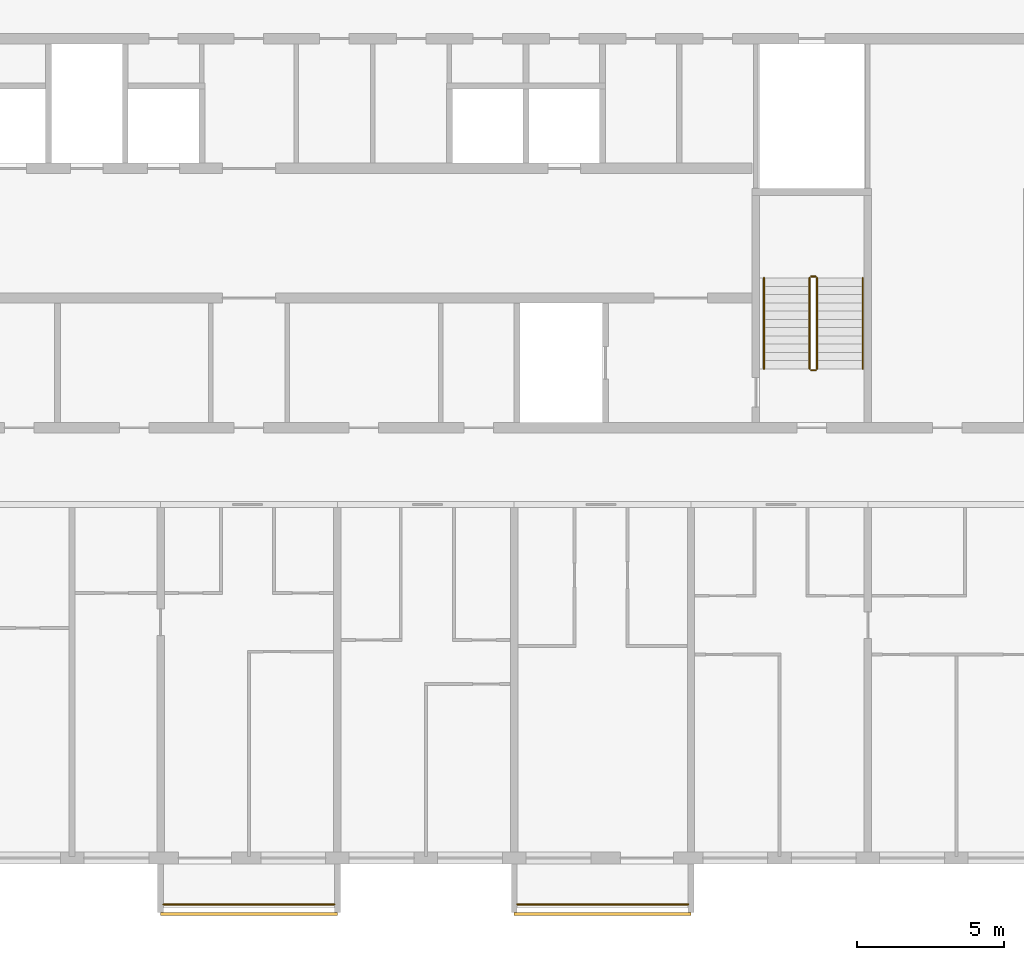
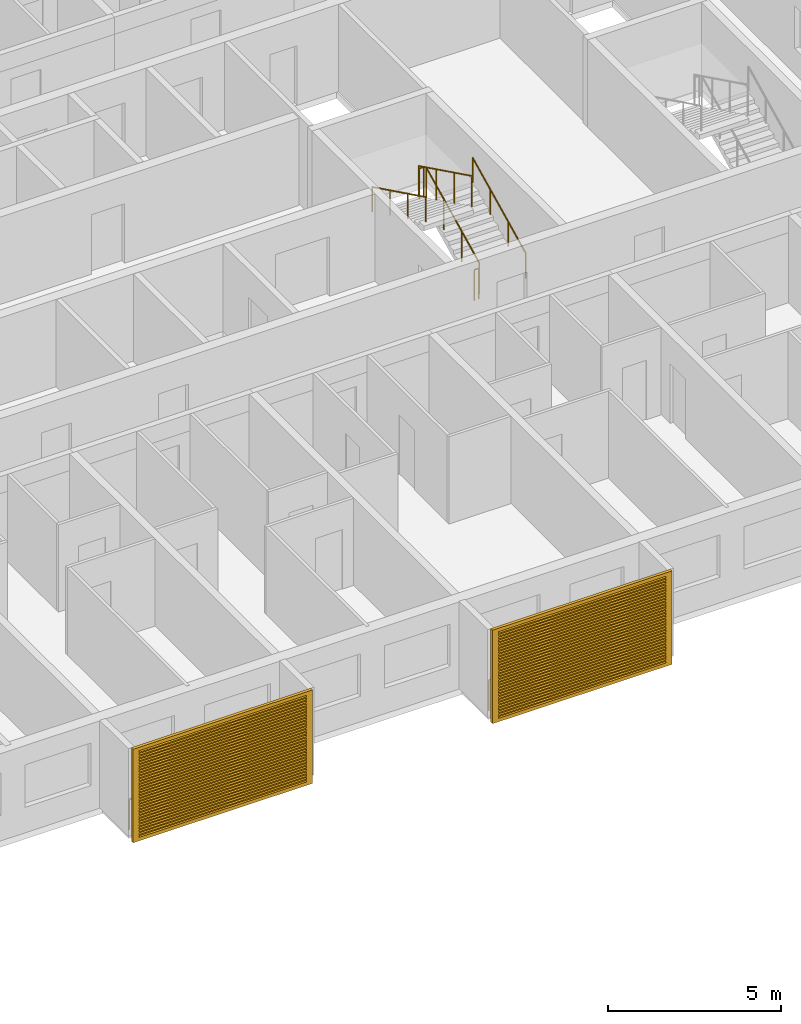
# One storey, part 14 of 29: 8 railings, 2 shading devices.
"""IFC4 building model written with IfcOpenShell, lengths in metres."""

from ifc_helpers import new_model, si_unit, direction, frame, origin, origin_2d, place, context, subcontext, project, spatial, polyline, circle, outline, extrude, source, transform, mapped, material, material_profile, profile_set, type_object, element, save


model = new_model("IFC4")

# Units and contexts
model_context = context("Model", 3, precision=1e-05, world=origin(), true_north=direction((0.0, 1.0)))
body_context = subcontext(model_context, "Body", "Model", "MODEL_VIEW")
ifc_project = project(units=[si_unit("LENGTHUNIT", "METRE"), si_unit("AREAUNIT", "SQUARE_METRE"), si_unit("VOLUMEUNIT", "CUBIC_METRE"), si_unit("PLANEANGLEUNIT", "RADIAN"), si_unit("MASSUNIT", "GRAM", prefix="KILO")], contexts=[model_context])

# Site, building, storey
site_placement = place(None, origin())
site = spatial("IfcSite", under=ifc_project, at=site_placement, CompositionType="ELEMENT")
building_placement = place(site_placement, origin())
building = spatial("IfcBuilding", under=site, at=building_placement, Name="Poui Terraces", CompositionType="ELEMENT")
storey_placement = place(building_placement, frame((0.0, 0.0, 234.60009765625)))
storey = spatial("IfcBuildingStorey", under=building, at=storey_placement, Name="L65", CompositionType="ELEMENT", Elevation=234.60009765625)

# Railings
ifc_material_1 = material(Name="Painted steel fretwork", Category="steel")
railing_type_1 = type_object("IfcRailingType", Name="BALCONY GUARD 1100", PredefinedType="GUARDRAIL", material=ifc_material_1)
for number, where, name in (
    (1, (48.10009765625, -1.570068359375, 0.0), "BALCONY GUARD"),
    (2, (60.10009765625, -1.570068359375, 0.0), "BALCONY GUARD"),
):
    element("IfcRailing", number, at=place(storey_placement, frame(where)), inside=storey, type_object=railing_type_1, Name=name, PredefinedType="GUARDRAIL", context=body_context, shape_type="SweptSolid", body=[
        extrude(circle(Radius=0.02392578125, at=origin_2d()), frame((0.0, 0.0, 1.076171875), z_axis=(1.0, 0.0, 0.0), x_axis=(0.0, 1.0, 0.0)), (0.0, 0.0, 1.0), 5.7998046875),
        extrude(circle(Radius=0.02099609375, at=origin_2d()), origin(), (0.0, 0.0, 1.0), 1.052001953125),
        extrude(circle(Radius=0.02099609375, at=origin_2d()), frame((0.966552734375, 0.0, 0.0)), (0.0, 0.0, 1.0), 1.052001953125),
        extrude(circle(Radius=0.02099609375, at=origin_2d()), frame((1.933349609375, 0.0, 0.0)), (0.0, 0.0, 1.0), 1.052001953125),
        extrude(circle(Radius=0.02099609375, at=origin_2d()), frame((2.89990234375, 0.0, 0.0)), (0.0, 0.0, 1.0), 1.052001953125),
        extrude(circle(Radius=0.02099609375, at=origin_2d()), frame((3.866455078125, 0.0, 0.0)), (0.0, 0.0, 1.0), 1.052001953125),
        extrude(circle(Radius=0.02099609375, at=origin_2d()), frame((4.833251953125, 0.0, 0.0)), (0.0, 0.0, 1.0), 1.052001953125),
        extrude(circle(Radius=0.02099609375, at=origin_2d()), frame((5.7998046875, 0.0, 0.0)), (0.0, 0.0, 1.0), 1.052001953125),
    ])
ifc_material_2 = material(Name="Galvanised steel balustrade", Category="steel")
railing_type_2 = type_object("IfcRailingType", Name="STAIR GUARD 1100", PredefinedType="GUARDRAIL", material=ifc_material_2)
railing_1_placement = place(storey_placement, frame((70.27490234375, 16.60009765625, 0.137451171875)))
element("IfcRailing", 3, at=railing_1_placement, inside=storey, type_object=railing_type_2, Name="L65 ST-CE stair guard 1", PredefinedType="GUARDRAIL", context=body_context, shape_type="SweptSolid", body=[
    extrude(circle(Radius=0.02392578125, at=origin_2d()), frame((0.0, 0.0, 1.076171875), z_axis=(0.0, 0.897606190399, 0.440798283751), x_axis=(-1.0, 0.0, 0.0)), (0.0, 0.0, 1.0), 3.43115234375),
    extrude(circle(Radius=0.02099609375, at=origin_2d()), origin(), (0.0, 0.0, 1.0), 1.052001953125),
    extrude(circle(Radius=0.02099609375, at=origin_2d()), frame((0.0, 1.026611328125, 0.504150390625)), (0.0, 0.0, 1.0), 1.052001953125),
    extrude(circle(Radius=0.02099609375, at=origin_2d()), frame((0.0, 2.05322265625, 1.00830078125)), (0.0, 0.0, 1.0), 1.052001953125),
    extrude(circle(Radius=0.02099609375, at=origin_2d()), frame((0.0, 3.079833984375, 1.512451171875)), (0.0, 0.0, 1.0), 1.052001953125),
])
railing_2_placement = place(storey_placement, frame((70.22509765625, 19.72998046875, 1.64990234375)))
element("IfcRailing", 4, at=railing_2_placement, inside=storey, type_object=railing_type_2, Name="L65 ST-CE stair guard 2", PredefinedType="GUARDRAIL", context=body_context, shape_type="SweptSolid", body=[
    extrude(circle(Radius=0.02392578125, at=origin_2d()), frame((0.0, 0.0, 1.076171875), z_axis=(-1.0, 0.0, 0.0), x_axis=(0.0, -1.0, 0.0)), (0.0, 0.0, 1.0), 0.150146484375),
    extrude(circle(Radius=0.02099609375, at=origin_2d()), origin(), (0.0, 0.0, 1.0), 1.052001953125),
    extrude(circle(Radius=0.02099609375, at=origin_2d()), frame((-0.150146484375, 0.0, 0.0)), (0.0, 0.0, 1.0), 1.052001953125),
])
railing_3_placement = place(storey_placement, frame((70.02490234375, 19.679931640625, 1.787353515625)))
element("IfcRailing", 5, at=railing_3_placement, inside=storey, type_object=railing_type_2, Name="L65 ST-CE stair guard 3", PredefinedType="GUARDRAIL", context=body_context, shape_type="SweptSolid", body=[
    extrude(circle(Radius=0.02392578125, at=origin_2d()), frame((0.0, 0.0, 1.076171875), z_axis=(0.0, -0.897606190399, 0.440798283751), x_axis=(1.0, 0.0, 0.0)), (0.0, 0.0, 1.0), 3.43115234375),
    extrude(circle(Radius=0.02099609375, at=origin_2d()), origin(), (0.0, 0.0, 1.0), 1.052001953125),
    extrude(circle(Radius=0.02099609375, at=origin_2d()), frame((0.0, -1.026611328125, 0.504150390625)), (0.0, 0.0, 1.0), 1.052001953125),
    extrude(circle(Radius=0.02099609375, at=origin_2d()), frame((0.0, -2.05322265625, 1.00830078125)), (0.0, 0.0, 1.0), 1.052001953125),
    extrude(circle(Radius=0.02099609375, at=origin_2d()), frame((0.0, -3.079833984375, 1.512451171875)), (0.0, 0.0, 1.0), 1.052001953125),
])
railing_4_placement = place(storey_placement, frame((70.22509765625, 16.550048828125, 0.0)))
element("IfcRailing", 6, at=railing_4_placement, inside=storey, type_object=railing_type_2, Name="L65 ST-CE stair guard 4", PredefinedType="GUARDRAIL", context=body_context, shape_type="SweptSolid", body=[
    extrude(circle(Radius=0.02392578125, at=origin_2d()), frame((0.0, 0.0, 1.076171875), z_axis=(-1.0, 0.0, 0.0), x_axis=(0.0, -1.0, 0.0)), (0.0, 0.0, 1.0), 0.150146484375),
    extrude(circle(Radius=0.02099609375, at=origin_2d()), origin(), (0.0, 0.0, 1.0), 1.052001953125),
    extrude(circle(Radius=0.02099609375, at=origin_2d()), frame((-0.150146484375, 0.0, 0.0)), (0.0, 0.0, 1.0), 1.052001953125),
])
ifc_material_3 = material(Name="Stainless steel handrail", Category="steel")
railing_type_3 = type_object("IfcRailingType", Name="STAIR HANDRAIL 900", PredefinedType="HANDRAIL", material=ifc_material_3)
railing_5_placement = place(storey_placement, frame((71.824951171875, 16.60009765625, 0.137451171875)))
element("IfcRailing", 7, at=railing_5_placement, inside=storey, type_object=railing_type_3, Name="L65 ST-CE stair handrail 1", PredefinedType="HANDRAIL", context=body_context, shape_type="SweptSolid", body=[
    extrude(circle(Radius=0.02392578125, at=origin_2d()), frame((0.0, 0.0, 0.8759765625), z_axis=(0.0, 0.897606190399, 0.440798283751), x_axis=(-1.0, 0.0, 0.0)), (0.0, 0.0, 1.0), 3.43115234375),
    extrude(circle(Radius=0.02099609375, at=origin_2d()), origin(), (0.0, 0.0, 1.0), 0.851806640625),
    extrude(circle(Radius=0.02099609375, at=origin_2d()), frame((0.0, 1.026611328125, 0.504150390625)), (0.0, 0.0, 1.0), 0.851806640625),
    extrude(circle(Radius=0.02099609375, at=origin_2d()), frame((0.0, 2.05322265625, 1.00830078125)), (0.0, 0.0, 1.0), 0.851806640625),
    extrude(circle(Radius=0.02099609375, at=origin_2d()), frame((0.0, 3.079833984375, 1.512451171875)), (0.0, 0.0, 1.0), 0.851806640625),
])
railing_6_placement = place(storey_placement, frame((68.47509765625, 19.679931640625, 1.787353515625)))
element("IfcRailing", 8, at=railing_6_placement, inside=storey, type_object=railing_type_3, Name="L65 ST-CE stair handrail 2", PredefinedType="HANDRAIL", context=body_context, shape_type="SweptSolid", body=[
    extrude(circle(Radius=0.02392578125, at=origin_2d()), frame((0.0, 0.0, 0.8759765625), z_axis=(0.0, -0.897606190399, 0.440798283751), x_axis=(1.0, 0.0, 0.0)), (0.0, 0.0, 1.0), 3.43115234375),
    extrude(circle(Radius=0.02099609375, at=origin_2d()), origin(), (0.0, 0.0, 1.0), 0.851806640625),
    extrude(circle(Radius=0.02099609375, at=origin_2d()), frame((0.0, -1.026611328125, 0.504150390625)), (0.0, 0.0, 1.0), 0.851806640625),
    extrude(circle(Radius=0.02099609375, at=origin_2d()), frame((0.0, -2.05322265625, 1.00830078125)), (0.0, 0.0, 1.0), 0.851806640625),
    extrude(circle(Radius=0.02099609375, at=origin_2d()), frame((0.0, -3.079833984375, 1.512451171875)), (0.0, 0.0, 1.0), 0.851806640625),
])

# Shading devices
ifc_material_4 = material(Name="Aluminium louvre", Category="aluminium")
ifc_material_profile = material_profile(ifc_material_4, outline(polyline([(-3.0, -1.64990234375), (3.0, -1.64990234375), (3.0, 1.64990234375), (-3.0, 1.64990234375), (-3.0, -1.64990234375)]), holes=[polyline([(-2.800048828125, -1.530029296875), (2.800048828125, -1.530029296875), (2.800048828125, -1.469970703125), (-2.800048828125, -1.469970703125), (-2.800048828125, -1.530029296875)]), polyline([(-2.800048828125, -1.429931640625), (2.800048828125, -1.429931640625), (2.800048828125, -1.3701171875), (-2.800048828125, -1.3701171875), (-2.800048828125, -1.429931640625)]), polyline([(-2.800048828125, -1.330078125), (2.800048828125, -1.330078125), (2.800048828125, -1.27001953125), (-2.800048828125, -1.27001953125), (-2.800048828125, -1.330078125)]), polyline([(-2.800048828125, -1.22998046875), (2.800048828125, -1.22998046875), (2.800048828125, -1.169921875), (-2.800048828125, -1.169921875), (-2.800048828125, -1.22998046875)]), polyline([(-2.800048828125, -1.1298828125), (2.800048828125, -1.1298828125), (2.800048828125, -1.070068359375), (-2.800048828125, -1.070068359375), (-2.800048828125, -1.1298828125)]), polyline([(-2.800048828125, -1.030029296875), (2.800048828125, -1.030029296875), (2.800048828125, -0.969970703125), (-2.800048828125, -0.969970703125), (-2.800048828125, -1.030029296875)]), polyline([(-2.800048828125, -0.929931640625), (2.800048828125, -0.929931640625), (2.800048828125, -0.8701171875), (-2.800048828125, -0.8701171875), (-2.800048828125, -0.929931640625)]), polyline([(-2.800048828125, -0.830078125), (2.800048828125, -0.830078125), (2.800048828125, -0.77001953125), (-2.800048828125, -0.77001953125), (-2.800048828125, -0.830078125)]), polyline([(-2.800048828125, -0.72998046875), (2.800048828125, -0.72998046875), (2.800048828125, -0.669921875), (-2.800048828125, -0.669921875), (-2.800048828125, -0.72998046875)]), polyline([(-2.800048828125, -0.6298828125), (2.800048828125, -0.6298828125), (2.800048828125, -0.570068359375), (-2.800048828125, -0.570068359375), (-2.800048828125, -0.6298828125)]), polyline([(-2.800048828125, -0.530029296875), (2.800048828125, -0.530029296875), (2.800048828125, -0.469970703125), (-2.800048828125, -0.469970703125), (-2.800048828125, -0.530029296875)]), polyline([(-2.800048828125, -0.429931640625), (2.800048828125, -0.429931640625), (2.800048828125, -0.3701171875), (-2.800048828125, -0.3701171875), (-2.800048828125, -0.429931640625)]), polyline([(-2.800048828125, -0.330078125), (2.800048828125, -0.330078125), (2.800048828125, -0.27001953125), (-2.800048828125, -0.27001953125), (-2.800048828125, -0.330078125)]), polyline([(-2.800048828125, -0.22998046875), (2.800048828125, -0.22998046875), (2.800048828125, -0.169921875), (-2.800048828125, -0.169921875), (-2.800048828125, -0.22998046875)]), polyline([(-2.800048828125, -0.1298828125), (2.800048828125, -0.1298828125), (2.800048828125, -0.070068359375), (-2.800048828125, -0.070068359375), (-2.800048828125, -0.1298828125)]), polyline([(-2.800048828125, -0.030029296875), (2.800048828125, -0.030029296875), (2.800048828125, 0.030029296875), (-2.800048828125, 0.030029296875), (-2.800048828125, -0.030029296875)]), polyline([(-2.800048828125, 0.070068359375), (2.800048828125, 0.070068359375), (2.800048828125, 0.1298828125), (-2.800048828125, 0.1298828125), (-2.800048828125, 0.070068359375)]), polyline([(-2.800048828125, 0.169921875), (2.800048828125, 0.169921875), (2.800048828125, 0.22998046875), (-2.800048828125, 0.22998046875), (-2.800048828125, 0.169921875)]), polyline([(-2.800048828125, 0.27001953125), (2.800048828125, 0.27001953125), (2.800048828125, 0.330078125), (-2.800048828125, 0.330078125), (-2.800048828125, 0.27001953125)]), polyline([(-2.800048828125, 0.3701171875), (2.800048828125, 0.3701171875), (2.800048828125, 0.429931640625), (-2.800048828125, 0.429931640625), (-2.800048828125, 0.3701171875)]), polyline([(-2.800048828125, 0.469970703125), (2.800048828125, 0.469970703125), (2.800048828125, 0.530029296875), (-2.800048828125, 0.530029296875), (-2.800048828125, 0.469970703125)]), polyline([(-2.800048828125, 0.570068359375), (2.800048828125, 0.570068359375), (2.800048828125, 0.6298828125), (-2.800048828125, 0.6298828125), (-2.800048828125, 0.570068359375)]), polyline([(-2.800048828125, 0.669921875), (2.800048828125, 0.669921875), (2.800048828125, 0.72998046875), (-2.800048828125, 0.72998046875), (-2.800048828125, 0.669921875)]), polyline([(-2.800048828125, 0.77001953125), (2.800048828125, 0.77001953125), (2.800048828125, 0.830078125), (-2.800048828125, 0.830078125), (-2.800048828125, 0.77001953125)]), polyline([(-2.800048828125, 0.8701171875), (2.800048828125, 0.8701171875), (2.800048828125, 0.929931640625), (-2.800048828125, 0.929931640625), (-2.800048828125, 0.8701171875)]), polyline([(-2.800048828125, 0.969970703125), (2.800048828125, 0.969970703125), (2.800048828125, 1.030029296875), (-2.800048828125, 1.030029296875), (-2.800048828125, 0.969970703125)]), polyline([(-2.800048828125, 1.070068359375), (2.800048828125, 1.070068359375), (2.800048828125, 1.1298828125), (-2.800048828125, 1.1298828125), (-2.800048828125, 1.070068359375)]), polyline([(-2.800048828125, 1.169921875), (2.800048828125, 1.169921875), (2.800048828125, 1.22998046875), (-2.800048828125, 1.22998046875), (-2.800048828125, 1.169921875)]), polyline([(-2.800048828125, 1.27001953125), (2.800048828125, 1.27001953125), (2.800048828125, 1.330078125), (-2.800048828125, 1.330078125), (-2.800048828125, 1.27001953125)]), polyline([(-2.800048828125, 1.3701171875), (2.800048828125, 1.3701171875), (2.800048828125, 1.429931640625), (-2.800048828125, 1.429931640625), (-2.800048828125, 1.3701171875)]), polyline([(-2.800048828125, 1.469970703125), (2.800048828125, 1.469970703125), (2.800048828125, 1.530029296875), (-2.800048828125, 1.530029296875), (-2.800048828125, 1.469970703125)])]), Name="JALOUSIE LOUVRE SHUTTER 6000X3300")
ifc_profile_set = profile_set([ifc_material_profile], Name="Aluminium louvre")
shading_device_type = type_object("IfcShadingDeviceType", Name="JALOUSIE LOUVRE SHUTTER 6000X3300", PredefinedType="JALOUSIE", material=ifc_profile_set)
shared_shape = source(origin(), body_context, "Body", "SweptSolid", [
    extrude(outline(polyline([(-3.0, -1.64990234375), (3.0, -1.64990234375), (3.0, 1.64990234375), (-3.0, 1.64990234375), (-3.0, -1.64990234375)]), holes=[polyline([(-2.800048828125, -1.530029296875), (2.800048828125, -1.530029296875), (2.800048828125, -1.469970703125), (-2.800048828125, -1.469970703125), (-2.800048828125, -1.530029296875)]), polyline([(-2.800048828125, -1.429931640625), (2.800048828125, -1.429931640625), (2.800048828125, -1.3701171875), (-2.800048828125, -1.3701171875), (-2.800048828125, -1.429931640625)]), polyline([(-2.800048828125, -1.330078125), (2.800048828125, -1.330078125), (2.800048828125, -1.27001953125), (-2.800048828125, -1.27001953125), (-2.800048828125, -1.330078125)]), polyline([(-2.800048828125, -1.22998046875), (2.800048828125, -1.22998046875), (2.800048828125, -1.169921875), (-2.800048828125, -1.169921875), (-2.800048828125, -1.22998046875)]), polyline([(-2.800048828125, -1.1298828125), (2.800048828125, -1.1298828125), (2.800048828125, -1.070068359375), (-2.800048828125, -1.070068359375), (-2.800048828125, -1.1298828125)]), polyline([(-2.800048828125, -1.030029296875), (2.800048828125, -1.030029296875), (2.800048828125, -0.969970703125), (-2.800048828125, -0.969970703125), (-2.800048828125, -1.030029296875)]), polyline([(-2.800048828125, -0.929931640625), (2.800048828125, -0.929931640625), (2.800048828125, -0.8701171875), (-2.800048828125, -0.8701171875), (-2.800048828125, -0.929931640625)]), polyline([(-2.800048828125, -0.830078125), (2.800048828125, -0.830078125), (2.800048828125, -0.77001953125), (-2.800048828125, -0.77001953125), (-2.800048828125, -0.830078125)]), polyline([(-2.800048828125, -0.72998046875), (2.800048828125, -0.72998046875), (2.800048828125, -0.669921875), (-2.800048828125, -0.669921875), (-2.800048828125, -0.72998046875)]), polyline([(-2.800048828125, -0.6298828125), (2.800048828125, -0.6298828125), (2.800048828125, -0.570068359375), (-2.800048828125, -0.570068359375), (-2.800048828125, -0.6298828125)]), polyline([(-2.800048828125, -0.530029296875), (2.800048828125, -0.530029296875), (2.800048828125, -0.469970703125), (-2.800048828125, -0.469970703125), (-2.800048828125, -0.530029296875)]), polyline([(-2.800048828125, -0.429931640625), (2.800048828125, -0.429931640625), (2.800048828125, -0.3701171875), (-2.800048828125, -0.3701171875), (-2.800048828125, -0.429931640625)]), polyline([(-2.800048828125, -0.330078125), (2.800048828125, -0.330078125), (2.800048828125, -0.27001953125), (-2.800048828125, -0.27001953125), (-2.800048828125, -0.330078125)]), polyline([(-2.800048828125, -0.22998046875), (2.800048828125, -0.22998046875), (2.800048828125, -0.169921875), (-2.800048828125, -0.169921875), (-2.800048828125, -0.22998046875)]), polyline([(-2.800048828125, -0.1298828125), (2.800048828125, -0.1298828125), (2.800048828125, -0.070068359375), (-2.800048828125, -0.070068359375), (-2.800048828125, -0.1298828125)]), polyline([(-2.800048828125, -0.030029296875), (2.800048828125, -0.030029296875), (2.800048828125, 0.030029296875), (-2.800048828125, 0.030029296875), (-2.800048828125, -0.030029296875)]), polyline([(-2.800048828125, 0.070068359375), (2.800048828125, 0.070068359375), (2.800048828125, 0.1298828125), (-2.800048828125, 0.1298828125), (-2.800048828125, 0.070068359375)]), polyline([(-2.800048828125, 0.169921875), (2.800048828125, 0.169921875), (2.800048828125, 0.22998046875), (-2.800048828125, 0.22998046875), (-2.800048828125, 0.169921875)]), polyline([(-2.800048828125, 0.27001953125), (2.800048828125, 0.27001953125), (2.800048828125, 0.330078125), (-2.800048828125, 0.330078125), (-2.800048828125, 0.27001953125)]), polyline([(-2.800048828125, 0.3701171875), (2.800048828125, 0.3701171875), (2.800048828125, 0.429931640625), (-2.800048828125, 0.429931640625), (-2.800048828125, 0.3701171875)]), polyline([(-2.800048828125, 0.469970703125), (2.800048828125, 0.469970703125), (2.800048828125, 0.530029296875), (-2.800048828125, 0.530029296875), (-2.800048828125, 0.469970703125)]), polyline([(-2.800048828125, 0.570068359375), (2.800048828125, 0.570068359375), (2.800048828125, 0.6298828125), (-2.800048828125, 0.6298828125), (-2.800048828125, 0.570068359375)]), polyline([(-2.800048828125, 0.669921875), (2.800048828125, 0.669921875), (2.800048828125, 0.72998046875), (-2.800048828125, 0.72998046875), (-2.800048828125, 0.669921875)]), polyline([(-2.800048828125, 0.77001953125), (2.800048828125, 0.77001953125), (2.800048828125, 0.830078125), (-2.800048828125, 0.830078125), (-2.800048828125, 0.77001953125)]), polyline([(-2.800048828125, 0.8701171875), (2.800048828125, 0.8701171875), (2.800048828125, 0.929931640625), (-2.800048828125, 0.929931640625), (-2.800048828125, 0.8701171875)]), polyline([(-2.800048828125, 0.969970703125), (2.800048828125, 0.969970703125), (2.800048828125, 1.030029296875), (-2.800048828125, 1.030029296875), (-2.800048828125, 0.969970703125)]), polyline([(-2.800048828125, 1.070068359375), (2.800048828125, 1.070068359375), (2.800048828125, 1.1298828125), (-2.800048828125, 1.1298828125), (-2.800048828125, 1.070068359375)]), polyline([(-2.800048828125, 1.169921875), (2.800048828125, 1.169921875), (2.800048828125, 1.22998046875), (-2.800048828125, 1.22998046875), (-2.800048828125, 1.169921875)]), polyline([(-2.800048828125, 1.27001953125), (2.800048828125, 1.27001953125), (2.800048828125, 1.330078125), (-2.800048828125, 1.330078125), (-2.800048828125, 1.27001953125)]), polyline([(-2.800048828125, 1.3701171875), (2.800048828125, 1.3701171875), (2.800048828125, 1.429931640625), (-2.800048828125, 1.429931640625), (-2.800048828125, 1.3701171875)]), polyline([(-2.800048828125, 1.469970703125), (2.800048828125, 1.469970703125), (2.800048828125, 1.530029296875), (-2.800048828125, 1.530029296875), (-2.800048828125, 1.469970703125)])]), origin(), (0.0, 0.0, 1.0), 0.099853515625),
])
for number, where, z_axis, x_axis, name in (
    (9, (51.0, -1.85009765625, 1.449951171875), (0.0, -1.0, 0.0), (1.0, 0.0, 0.0), "JALOUSIE LOUVRE SHUTTER"),
    (10, (63.0, -1.85009765625, 1.449951171875), (0.0, -1.0, 0.0), (1.0, 0.0, 0.0), "JALOUSIE LOUVRE SHUTTER"),
):
    element("IfcShadingDevice", number, at=place(storey_placement, frame(where, z_axis=z_axis, x_axis=x_axis)), inside=storey, type_object=shading_device_type, Name=name, PredefinedType="JALOUSIE", context=body_context, shape_type="MappedRepresentation", body=[
        mapped(shared_shape, transform((0.0, 0.0, 0.0))),
    ])

save(model, "model.ifc")
